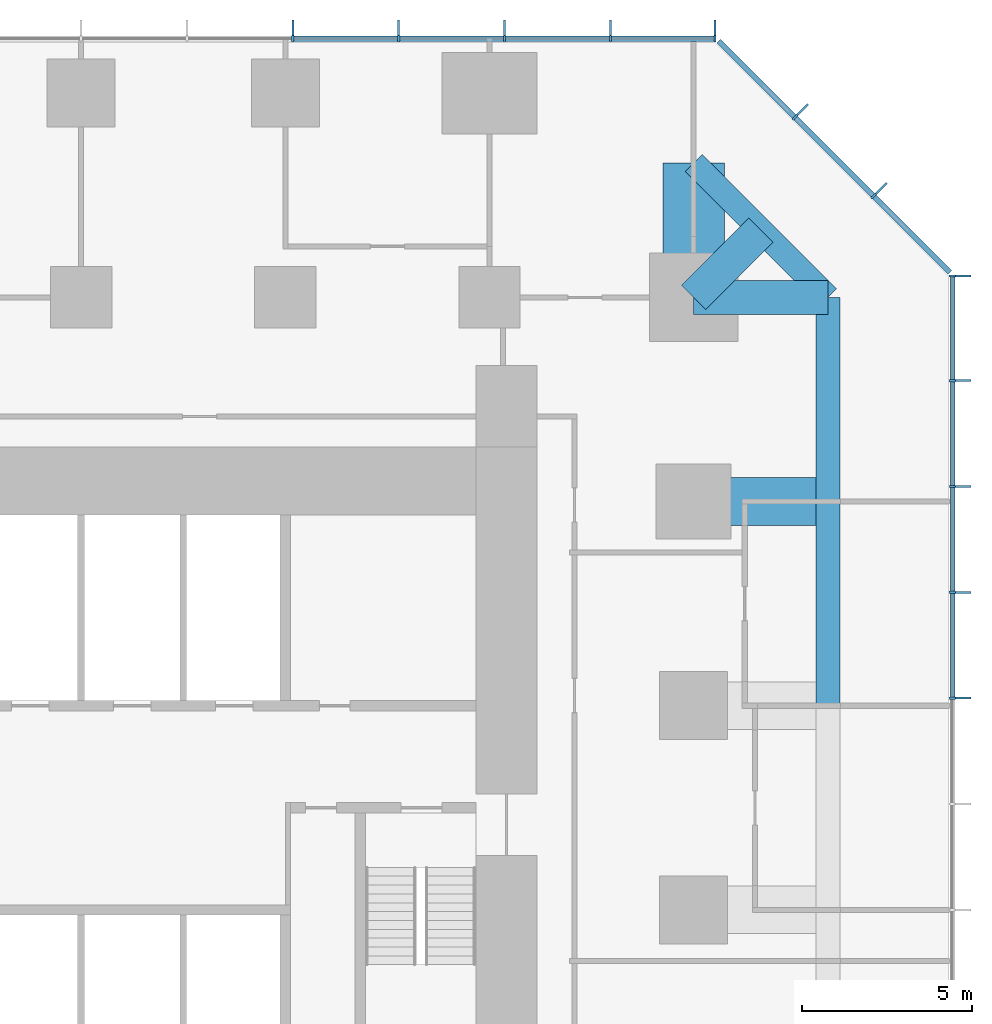
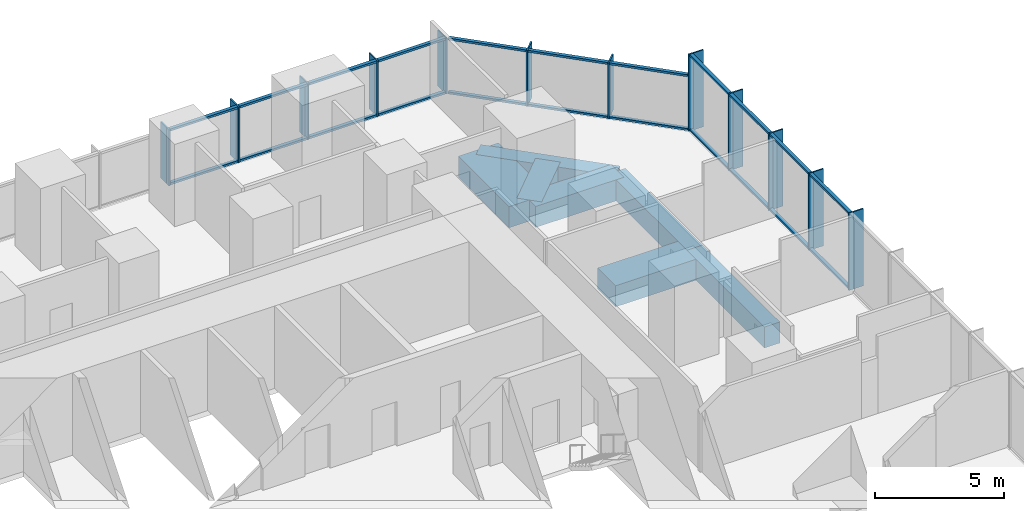
# One storey, part 7 of 13: 46 members, 7 beams, 3 elements without a shape of their own.
"""IFC4 building model written with IfcOpenShell, lengths in metres."""

from ifc_helpers import new_model, si_unit, direction, frame, origin, origin_2d, place, context, subcontext, project, spatial, rectangle, extrude, material, layer, layer_set, material_profile, profile_set, type_object, element, aggregate, save


model = new_model("IFC4")

# Units and contexts
model_context = context("Model", 3, precision=1e-05, world=origin(), true_north=direction((0.0, 1.0)))
body_context = subcontext(model_context, "Body", "Model", "MODEL_VIEW")
ifc_project = project(units=[si_unit("LENGTHUNIT", "METRE"), si_unit("AREAUNIT", "SQUARE_METRE"), si_unit("VOLUMEUNIT", "CUBIC_METRE"), si_unit("PLANEANGLEUNIT", "RADIAN"), si_unit("MASSUNIT", "GRAM", prefix="KILO")], contexts=[model_context])

# Site, building, storey
site_placement = place(None, origin())
site = spatial("IfcSite", under=ifc_project, at=site_placement, CompositionType="ELEMENT")
building_placement = place(site_placement, origin())
building = spatial("IfcBuilding", under=site, at=building_placement, Name="Highveld Stack Headquarters", CompositionType="ELEMENT")
storey_placement = place(building_placement, frame((0.0, 0.0, 61.10009765625)))
storey = spatial("IfcBuildingStorey", under=building, at=storey_placement, Name="L14", CompositionType="ELEMENT", Elevation=61.10009765625)

# Beams
ifc_material_1 = material(Name="Concrete C60/75", Category="concrete")
ifc_material_profile_1 = material_profile(ifc_material_1, rectangle(XDim=1.0, YDim=1.0, at=origin_2d()), Name="RC 1000x1000")
ifc_profile_set_1 = profile_set([ifc_material_profile_1], Name="Concrete C60/75")
beam_type_1 = type_object("IfcBeamType", Name="CANTILEVER RIB RC 1000x1000", PredefinedType="USERDEFINED", material=ifc_profile_set_1)
beam_1_placement = place(storey_placement, frame((24.0, 18.0, -0.75), z_axis=(1.0, 0.0, 0.0), x_axis=(0.0, 1.0, 0.0)))
element("IfcBeam", 1, at=beam_1_placement, inside=storey, type_object=beam_type_1, Name="Cantilever rib 10/H L14", ObjectType="CANTILEVER RIB", PredefinedType="USERDEFINED", context=body_context, shape_type="SweptSolid", body=[
    extrude(rectangle(XDim=1.0, YDim=1.0, at=origin_2d()), origin(), (0.0, 0.0, 1.0), 3.949951171875),
])
beam_2_placement = place(storey_placement, frame((24.0, 18.0, -0.75), z_axis=(0.707106781187, 0.707106781187, 0.0), x_axis=(-0.707106781187, 0.707106781187, 0.0)))
element("IfcBeam", 2, at=beam_2_placement, inside=storey, type_object=beam_type_1, Name="Cantilever rib 10/H L14", ObjectType="CANTILEVER RIB", PredefinedType="USERDEFINED", context=body_context, shape_type="SweptSolid", body=[
    extrude(rectangle(XDim=1.0, YDim=1.0, at=origin_2d()), origin(), (0.0, 0.0, 1.0), 2.793212890625),
])
ifc_material_2 = material(Name="Concrete C60/75", Category="concrete")
ifc_material_profile_2 = material_profile(ifc_material_2, rectangle(XDim=1.39990234375, YDim=1.0, at=origin_2d()), Name="RC 1400x1000")
ifc_profile_set_2 = profile_set([ifc_material_profile_2], Name="Concrete C60/75")
beam_type_2 = type_object("IfcBeamType", Name="CANTILEVER RIB RC 1400x1000", PredefinedType="USERDEFINED", material=ifc_profile_set_2)
beam_3_placement = place(storey_placement, frame((24.0, 12.0, -0.75), z_axis=(1.0, 0.0, 0.0), x_axis=(0.0, 1.0, 0.0)))
element("IfcBeam", 3, at=beam_3_placement, inside=storey, type_object=beam_type_2, Name="Cantilever rib 10/G L14", ObjectType="CANTILEVER RIB", PredefinedType="USERDEFINED", context=body_context, shape_type="SweptSolid", body=[
    extrude(rectangle(XDim=1.39990234375, YDim=1.0, at=origin_2d()), origin(), (0.0, 0.0, 1.0), 3.949951171875),
])
ifc_material_3 = material(Name="Concrete C60/75", Category="concrete")
ifc_material_profile_3 = material_profile(ifc_material_3, rectangle(XDim=1.800048828125, YDim=1.0, at=origin_2d()), Name="RC 1800x1000")
ifc_profile_set_3 = profile_set([ifc_material_profile_3], Name="Concrete C60/75")
beam_type_3 = type_object("IfcBeamType", Name="CANTILEVER RIB RC 1800x1000", PredefinedType="USERDEFINED", material=ifc_profile_set_3)
beam_4_placement = place(storey_placement, frame((24.0, 18.0, -0.75), z_axis=(0.0, 1.0, 0.0), x_axis=(-1.0, 0.0, 0.0)))
element("IfcBeam", 4, at=beam_4_placement, inside=storey, type_object=beam_type_3, Name="Cantilever rib 10/H L14", ObjectType="CANTILEVER RIB", PredefinedType="USERDEFINED", context=body_context, shape_type="SweptSolid", body=[
    extrude(rectangle(XDim=1.800048828125, YDim=1.0, at=origin_2d()), origin(), (0.0, 0.0, 1.0), 3.949951171875),
])

# Curtain wall, members
ifc_material_4 = material(Name="Aluminium bronze anodised", Category="aluminium")
ifc_layer_1 = layer(ifc_material_4, 0.199951171875)
ifc_layer_set_1 = layer_set([ifc_layer_1], Name="Aluminium bronze anodised")
curtain_wall_type_1 = type_object("IfcCurtainWallType", Name="CW1 TOWER UNITISED CURTAIN WALL", PredefinedType="NOTDEFINED", material=ifc_layer_set_1)
curtain_wall_1_placement = place(storey_placement, origin())
curtain_wall_1 = element("IfcCurtainWall", 5, at=curtain_wall_1_placement, inside=storey, type_object=curtain_wall_type_1, Name="Curtain wall CW1 L14 E", PredefinedType="NOTDEFINED")
ifc_material_5 = material(Name="Aluminium bronze anodised", Category="aluminium")
ifc_material_profile_4 = material_profile(ifc_material_5, rectangle(XDim=0.449951171875, YDim=0.06005859375, at=origin_2d()), Name="FIN 450x60")
ifc_profile_set_4 = profile_set([ifc_material_profile_4], Name="Aluminium bronze anodised")
member_type_1 = type_object("IfcMemberType", Name="CW1 BRONZE FIN 450x60", PredefinedType="USERDEFINED", material=ifc_profile_set_4)
member_1_placement = place(storey_placement, frame((31.925048828125, 6.220947265625, 0.0), z_axis=(0.0, 0.0, 1.0), x_axis=(-1.0, 0.0, 0.0)))
member_1 = element("IfcMember", 6, at=member_1_placement, type_object=member_type_1, Name="CW1 fin L14 9", ObjectType="FIN", PredefinedType="USERDEFINED", context=body_context, shape_type="SweptSolid", body=[
    extrude(rectangle(XDim=0.449951171875, YDim=0.06005859375, at=origin_2d()), origin(), (0.0, 0.0, 1.0), 3.64990234375),
])
member_2_placement = place(storey_placement, frame((31.925048828125, 9.331298828125, 0.0), z_axis=(0.0, 0.0, 1.0), x_axis=(-1.0, 0.0, 0.0)))
member_2 = element("IfcMember", 7, at=member_2_placement, type_object=member_type_1, Name="CW1 fin L14 10", ObjectType="FIN", PredefinedType="USERDEFINED", context=body_context, shape_type="SweptSolid", body=[
    extrude(rectangle(XDim=0.449951171875, YDim=0.06005859375, at=origin_2d()), origin(), (0.0, 0.0, 1.0), 3.64990234375),
])
member_3_placement = place(storey_placement, frame((31.925048828125, 12.44189453125, 0.0), z_axis=(0.0, 0.0, 1.0), x_axis=(-1.0, 0.0, 0.0)))
member_3 = element("IfcMember", 8, at=member_3_placement, type_object=member_type_1, Name="CW1 fin L14 11", ObjectType="FIN", PredefinedType="USERDEFINED", context=body_context, shape_type="SweptSolid", body=[
    extrude(rectangle(XDim=0.449951171875, YDim=0.06005859375, at=origin_2d()), origin(), (0.0, 0.0, 1.0), 3.64990234375),
])
member_4_placement = place(storey_placement, frame((31.925048828125, 15.55224609375, 0.0), z_axis=(0.0, 0.0, 1.0), x_axis=(-1.0, 0.0, 0.0)))
member_4 = element("IfcMember", 9, at=member_4_placement, type_object=member_type_1, Name="CW1 fin L14 12", ObjectType="FIN", PredefinedType="USERDEFINED", context=body_context, shape_type="SweptSolid", body=[
    extrude(rectangle(XDim=0.449951171875, YDim=0.06005859375, at=origin_2d()), origin(), (0.0, 0.0, 1.0), 3.64990234375),
])
member_5_placement = place(storey_placement, frame((31.925048828125, 18.630126953125, 0.0), z_axis=(0.0, 0.0, 1.0), x_axis=(-1.0, 0.0, 0.0)))
member_5 = element("IfcMember", 10, at=member_5_placement, type_object=member_type_1, Name="CW1 fin L14 13", ObjectType="FIN", PredefinedType="USERDEFINED", context=body_context, shape_type="SweptSolid", body=[
    extrude(rectangle(XDim=0.449951171875, YDim=0.06005859375, at=origin_2d()), origin(), (0.0, 0.0, 1.0), 3.64990234375),
])

curtain_wall_2_placement = place(storey_placement, origin())
curtain_wall_2 = element("IfcCurtainWall", 11, at=curtain_wall_2_placement, inside=storey, type_object=curtain_wall_type_1, Name="Curtain wall CW1 L14 N", PredefinedType="NOTDEFINED")
member_6_placement = place(storey_placement, frame((24.630126953125, 25.925048828125, 0.0), z_axis=(0.0, 0.0, 1.0), x_axis=(0.0, -1.0, 0.0)))
member_6 = element("IfcMember", 12, at=member_6_placement, type_object=member_type_1, Name="CW1 fin L14 1", ObjectType="FIN", PredefinedType="USERDEFINED", context=body_context, shape_type="SweptSolid", body=[
    extrude(rectangle(XDim=0.449951171875, YDim=0.06005859375, at=origin_2d()), origin(), (0.0, 0.0, 1.0), 2.64990234375),
])
member_7_placement = place(storey_placement, frame((21.55224609375, 25.925048828125, 0.0), z_axis=(0.0, 0.0, 1.0), x_axis=(0.0, -1.0, 0.0)))
member_7 = element("IfcMember", 13, at=member_7_placement, type_object=member_type_1, Name="CW1 fin L14 2", ObjectType="FIN", PredefinedType="USERDEFINED", context=body_context, shape_type="SweptSolid", body=[
    extrude(rectangle(XDim=0.449951171875, YDim=0.06005859375, at=origin_2d()), origin(), (0.0, 0.0, 1.0), 2.64990234375),
])
member_8_placement = place(storey_placement, frame((18.44189453125, 25.925048828125, 0.0), z_axis=(0.0, 0.0, 1.0), x_axis=(0.0, -1.0, 0.0)))
member_8 = element("IfcMember", 14, at=member_8_placement, type_object=member_type_1, Name="CW1 fin L14 3", ObjectType="FIN", PredefinedType="USERDEFINED", context=body_context, shape_type="SweptSolid", body=[
    extrude(rectangle(XDim=0.449951171875, YDim=0.06005859375, at=origin_2d()), origin(), (0.0, 0.0, 1.0), 2.64990234375),
])
member_9_placement = place(storey_placement, frame((15.331298828125, 25.925048828125, 0.0), z_axis=(0.0, 0.0, 1.0), x_axis=(0.0, -1.0, 0.0)))
member_9 = element("IfcMember", 15, at=member_9_placement, type_object=member_type_1, Name="CW1 fin L14 4", ObjectType="FIN", PredefinedType="USERDEFINED", context=body_context, shape_type="SweptSolid", body=[
    extrude(rectangle(XDim=0.449951171875, YDim=0.06005859375, at=origin_2d()), origin(), (0.0, 0.0, 1.0), 2.64990234375),
])
member_10_placement = place(storey_placement, frame((12.220947265625, 25.925048828125, 0.0), z_axis=(0.0, 0.0, 1.0), x_axis=(0.0, -1.0, 0.0)))
member_10 = element("IfcMember", 16, at=member_10_placement, type_object=member_type_1, Name="CW1 fin L14 5", ObjectType="FIN", PredefinedType="USERDEFINED", context=body_context, shape_type="SweptSolid", body=[
    extrude(rectangle(XDim=0.449951171875, YDim=0.06005859375, at=origin_2d()), origin(), (0.0, 0.0, 1.0), 2.64990234375),
])

# Member
ifc_material_6 = material(Name="Aluminium bronze anodised", Category="aluminium")
ifc_material_profile_5 = material_profile(ifc_material_6, rectangle(XDim=0.199951171875, YDim=0.06494140625, at=origin_2d()), Name="CW1 MULLION 65x200")
ifc_profile_set_5 = profile_set([ifc_material_profile_5], Name="Aluminium bronze anodised")
member_type_2 = type_object("IfcMemberType", Name="CW1 MULLION 65x200", PredefinedType="MULLION", material=ifc_profile_set_5)
member_11_placement = place(storey_placement, frame((31.60009765625, 6.220947265625, 0.0), z_axis=(0.0, 0.0, 1.0), x_axis=(-1.0, 0.0, 0.0)))
member_11 = element("IfcMember", 17, at=member_11_placement, type_object=member_type_2, Name="CW1 mullion L14 9", PredefinedType="MULLION", context=body_context, shape_type="SweptSolid", body=[
    extrude(rectangle(XDim=0.199951171875, YDim=0.06494140625, at=origin_2d()), origin(), (0.0, 0.0, 1.0), 3.64990234375),
])

member_12_placement = place(storey_placement, frame((31.60009765625, 9.331298828125, 0.0), z_axis=(0.0, 0.0, 1.0), x_axis=(-1.0, 0.0, 0.0)))
member_12 = element("IfcMember", 18, at=member_12_placement, type_object=member_type_2, Name="CW1 mullion L14 10", PredefinedType="MULLION", context=body_context, shape_type="SweptSolid", body=[
    extrude(rectangle(XDim=0.199951171875, YDim=0.06494140625, at=origin_2d()), origin(), (0.0, 0.0, 1.0), 3.64990234375),
])

member_13_placement = place(storey_placement, frame((31.60009765625, 12.44189453125, 0.0), z_axis=(0.0, 0.0, 1.0), x_axis=(-1.0, 0.0, 0.0)))
member_13 = element("IfcMember", 19, at=member_13_placement, type_object=member_type_2, Name="CW1 mullion L14 11", PredefinedType="MULLION", context=body_context, shape_type="SweptSolid", body=[
    extrude(rectangle(XDim=0.199951171875, YDim=0.06494140625, at=origin_2d()), origin(), (0.0, 0.0, 1.0), 3.64990234375),
])

member_14_placement = place(storey_placement, frame((31.60009765625, 15.55224609375, 0.0), z_axis=(0.0, 0.0, 1.0), x_axis=(-1.0, 0.0, 0.0)))
member_14 = element("IfcMember", 20, at=member_14_placement, type_object=member_type_2, Name="CW1 mullion L14 12", PredefinedType="MULLION", context=body_context, shape_type="SweptSolid", body=[
    extrude(rectangle(XDim=0.199951171875, YDim=0.06494140625, at=origin_2d()), origin(), (0.0, 0.0, 1.0), 3.64990234375),
])

member_15_placement = place(storey_placement, frame((31.60009765625, 18.630126953125, 0.0), z_axis=(0.0, 0.0, 1.0), x_axis=(-1.0, 0.0, 0.0)))
member_15 = element("IfcMember", 21, at=member_15_placement, type_object=member_type_2, Name="CW1 mullion L14 13", PredefinedType="MULLION", context=body_context, shape_type="SweptSolid", body=[
    extrude(rectangle(XDim=0.199951171875, YDim=0.06494140625, at=origin_2d()), origin(), (0.0, 0.0, 1.0), 3.64990234375),
])

member_16_placement = place(storey_placement, frame((24.630126953125, 25.60009765625, 0.0), z_axis=(0.0, 0.0, 1.0), x_axis=(0.0, -1.0, 0.0)))
member_16 = element("IfcMember", 22, at=member_16_placement, type_object=member_type_2, Name="CW1 mullion L14 1", PredefinedType="MULLION", context=body_context, shape_type="SweptSolid", body=[
    extrude(rectangle(XDim=0.199951171875, YDim=0.06494140625, at=origin_2d()), origin(), (0.0, 0.0, 1.0), 2.64990234375),
])

member_17_placement = place(storey_placement, frame((21.55224609375, 25.60009765625, 0.0), z_axis=(0.0, 0.0, 1.0), x_axis=(0.0, -1.0, 0.0)))
member_17 = element("IfcMember", 23, at=member_17_placement, type_object=member_type_2, Name="CW1 mullion L14 2", PredefinedType="MULLION", context=body_context, shape_type="SweptSolid", body=[
    extrude(rectangle(XDim=0.199951171875, YDim=0.06494140625, at=origin_2d()), origin(), (0.0, 0.0, 1.0), 2.64990234375),
])

member_18_placement = place(storey_placement, frame((18.44189453125, 25.60009765625, 0.0), z_axis=(0.0, 0.0, 1.0), x_axis=(0.0, -1.0, 0.0)))
member_18 = element("IfcMember", 24, at=member_18_placement, type_object=member_type_2, Name="CW1 mullion L14 3", PredefinedType="MULLION", context=body_context, shape_type="SweptSolid", body=[
    extrude(rectangle(XDim=0.199951171875, YDim=0.06494140625, at=origin_2d()), origin(), (0.0, 0.0, 1.0), 2.64990234375),
])

member_19_placement = place(storey_placement, frame((15.331298828125, 25.60009765625, 0.0), z_axis=(0.0, 0.0, 1.0), x_axis=(0.0, -1.0, 0.0)))
member_19 = element("IfcMember", 25, at=member_19_placement, type_object=member_type_2, Name="CW1 mullion L14 4", PredefinedType="MULLION", context=body_context, shape_type="SweptSolid", body=[
    extrude(rectangle(XDim=0.199951171875, YDim=0.06494140625, at=origin_2d()), origin(), (0.0, 0.0, 1.0), 2.64990234375),
])

member_20_placement = place(storey_placement, frame((12.220947265625, 25.60009765625, 0.0), z_axis=(0.0, 0.0, 1.0), x_axis=(0.0, -1.0, 0.0)))
member_20 = element("IfcMember", 26, at=member_20_placement, type_object=member_type_2, Name="CW1 mullion L14 5", PredefinedType="MULLION", context=body_context, shape_type="SweptSolid", body=[
    extrude(rectangle(XDim=0.199951171875, YDim=0.06494140625, at=origin_2d()), origin(), (0.0, 0.0, 1.0), 2.64990234375),
])

ifc_material_7 = material(Name="Aluminium bronze anodised", Category="aluminium")
ifc_material_profile_6 = material_profile(ifc_material_7, rectangle(XDim=0.14990234375, YDim=0.10009765625, at=origin_2d()), Name="CW1 TRANSOM 150x100")
ifc_profile_set_6 = profile_set([ifc_material_profile_6], Name="Aluminium bronze anodised")
member_type_3 = type_object("IfcMemberType", Name="CW1 STACK TRANSOM 150x100", PredefinedType="USERDEFINED", material=ifc_profile_set_6)
member_21_placement = place(storey_placement, frame((31.60009765625, 6.25341796875, 0.0498046875), z_axis=(0.0, 1.0, 0.0), x_axis=(-1.0, 0.0, 0.0)))
member_21 = element("IfcMember", 27, at=member_21_placement, type_object=member_type_3, Name="CW1 transom L14 9.1", ObjectType="TRANSOM", PredefinedType="USERDEFINED", context=body_context, shape_type="SweptSolid", body=[
    extrude(rectangle(XDim=0.14990234375, YDim=0.10009765625, at=origin_2d()), origin(), (0.0, 0.0, 1.0), 3.04541015625),
])

member_22_placement = place(storey_placement, frame((31.60009765625, 6.25341796875, 3.599853515625), z_axis=(0.0, 1.0, 0.0), x_axis=(-1.0, 0.0, 0.0)))
member_22 = element("IfcMember", 28, at=member_22_placement, type_object=member_type_3, Name="CW1 transom L14 9.2", ObjectType="TRANSOM", PredefinedType="USERDEFINED", context=body_context, shape_type="SweptSolid", body=[
    extrude(rectangle(XDim=0.14990234375, YDim=0.10009765625, at=origin_2d()), origin(), (0.0, 0.0, 1.0), 3.04541015625),
])

member_23_placement = place(storey_placement, frame((31.60009765625, 9.36376953125, 0.0498046875), z_axis=(0.0, 1.0, 0.0), x_axis=(-1.0, 0.0, 0.0)))
member_23 = element("IfcMember", 29, at=member_23_placement, type_object=member_type_3, Name="CW1 transom L14 10.1", ObjectType="TRANSOM", PredefinedType="USERDEFINED", context=body_context, shape_type="SweptSolid", body=[
    extrude(rectangle(XDim=0.14990234375, YDim=0.10009765625, at=origin_2d()), origin(), (0.0, 0.0, 1.0), 3.04541015625),
])

member_24_placement = place(storey_placement, frame((31.60009765625, 9.36376953125, 3.599853515625), z_axis=(0.0, 1.0, 0.0), x_axis=(-1.0, 0.0, 0.0)))
member_24 = element("IfcMember", 30, at=member_24_placement, type_object=member_type_3, Name="CW1 transom L14 10.2", ObjectType="TRANSOM", PredefinedType="USERDEFINED", context=body_context, shape_type="SweptSolid", body=[
    extrude(rectangle(XDim=0.14990234375, YDim=0.10009765625, at=origin_2d()), origin(), (0.0, 0.0, 1.0), 3.04541015625),
])

member_25_placement = place(storey_placement, frame((31.60009765625, 12.474365234375, 0.0498046875), z_axis=(0.0, 1.0, 0.0), x_axis=(-1.0, 0.0, 0.0)))
member_25 = element("IfcMember", 31, at=member_25_placement, type_object=member_type_3, Name="CW1 transom L14 11.1", ObjectType="TRANSOM", PredefinedType="USERDEFINED", context=body_context, shape_type="SweptSolid", body=[
    extrude(rectangle(XDim=0.14990234375, YDim=0.10009765625, at=origin_2d()), origin(), (0.0, 0.0, 1.0), 3.04541015625),
])

member_26_placement = place(storey_placement, frame((31.60009765625, 12.474365234375, 3.599853515625), z_axis=(0.0, 1.0, 0.0), x_axis=(-1.0, 0.0, 0.0)))
member_26 = element("IfcMember", 32, at=member_26_placement, type_object=member_type_3, Name="CW1 transom L14 11.2", ObjectType="TRANSOM", PredefinedType="USERDEFINED", context=body_context, shape_type="SweptSolid", body=[
    extrude(rectangle(XDim=0.14990234375, YDim=0.10009765625, at=origin_2d()), origin(), (0.0, 0.0, 1.0), 3.04541015625),
])

member_27_placement = place(storey_placement, frame((31.60009765625, 15.584716796875, 0.0498046875), z_axis=(0.0, 1.0, 0.0), x_axis=(-1.0, 0.0, 0.0)))
member_27 = element("IfcMember", 33, at=member_27_placement, type_object=member_type_3, Name="CW1 transom L14 12.1", ObjectType="TRANSOM", PredefinedType="USERDEFINED", context=body_context, shape_type="SweptSolid", body=[
    extrude(rectangle(XDim=0.14990234375, YDim=0.10009765625, at=origin_2d()), origin(), (0.0, 0.0, 1.0), 3.012939453125),
])

member_28_placement = place(storey_placement, frame((31.60009765625, 15.584716796875, 3.599853515625), z_axis=(0.0, 1.0, 0.0), x_axis=(-1.0, 0.0, 0.0)))
member_28 = element("IfcMember", 34, at=member_28_placement, type_object=member_type_3, Name="CW1 transom L14 12.2", ObjectType="TRANSOM", PredefinedType="USERDEFINED", context=body_context, shape_type="SweptSolid", body=[
    extrude(rectangle(XDim=0.14990234375, YDim=0.10009765625, at=origin_2d()), origin(), (0.0, 0.0, 1.0), 3.012939453125),
])

aggregate(curtain_wall_1, [member_11, member_1, member_12, member_2, member_13, member_3, member_14, member_4, member_15, member_5, member_21, member_22, member_23, member_24, member_25, member_26, member_27, member_28])

member_29_placement = place(storey_placement, frame((24.59765625, 25.60009765625, 0.0498046875), z_axis=(-1.0, 0.0, 0.0), x_axis=(0.0, -1.0, 0.0)))
member_29 = element("IfcMember", 35, at=member_29_placement, type_object=member_type_3, Name="CW1 transom L14 1.1", ObjectType="TRANSOM", PredefinedType="USERDEFINED", context=body_context, shape_type="SweptSolid", body=[
    extrude(rectangle(XDim=0.14990234375, YDim=0.10009765625, at=origin_2d()), origin(), (0.0, 0.0, 1.0), 3.012939453125),
])

member_30_placement = place(storey_placement, frame((24.59765625, 25.60009765625, 2.599853515625), z_axis=(-1.0, 0.0, 0.0), x_axis=(0.0, -1.0, 0.0)))
member_30 = element("IfcMember", 36, at=member_30_placement, type_object=member_type_3, Name="CW1 transom L14 1.2", ObjectType="TRANSOM", PredefinedType="USERDEFINED", context=body_context, shape_type="SweptSolid", body=[
    extrude(rectangle(XDim=0.14990234375, YDim=0.10009765625, at=origin_2d()), origin(), (0.0, 0.0, 1.0), 3.012939453125),
])

member_31_placement = place(storey_placement, frame((21.519775390625, 25.60009765625, 0.0498046875), z_axis=(-1.0, 0.0, 0.0), x_axis=(0.0, -1.0, 0.0)))
member_31 = element("IfcMember", 37, at=member_31_placement, type_object=member_type_3, Name="CW1 transom L14 2.1", ObjectType="TRANSOM", PredefinedType="USERDEFINED", context=body_context, shape_type="SweptSolid", body=[
    extrude(rectangle(XDim=0.14990234375, YDim=0.10009765625, at=origin_2d()), origin(), (0.0, 0.0, 1.0), 3.04541015625),
])

member_32_placement = place(storey_placement, frame((21.519775390625, 25.60009765625, 2.599853515625), z_axis=(-1.0, 0.0, 0.0), x_axis=(0.0, -1.0, 0.0)))
member_32 = element("IfcMember", 38, at=member_32_placement, type_object=member_type_3, Name="CW1 transom L14 2.2", ObjectType="TRANSOM", PredefinedType="USERDEFINED", context=body_context, shape_type="SweptSolid", body=[
    extrude(rectangle(XDim=0.14990234375, YDim=0.10009765625, at=origin_2d()), origin(), (0.0, 0.0, 1.0), 3.04541015625),
])

member_33_placement = place(storey_placement, frame((18.4091796875, 25.60009765625, 0.0498046875), z_axis=(-1.0, 0.0, 0.0), x_axis=(0.0, -1.0, 0.0)))
member_33 = element("IfcMember", 39, at=member_33_placement, type_object=member_type_3, Name="CW1 transom L14 3.1", ObjectType="TRANSOM", PredefinedType="USERDEFINED", context=body_context, shape_type="SweptSolid", body=[
    extrude(rectangle(XDim=0.14990234375, YDim=0.10009765625, at=origin_2d()), origin(), (0.0, 0.0, 1.0), 3.045166015625),
])

member_34_placement = place(storey_placement, frame((18.4091796875, 25.60009765625, 2.599853515625), z_axis=(-1.0, 0.0, 0.0), x_axis=(0.0, -1.0, 0.0)))
member_34 = element("IfcMember", 40, at=member_34_placement, type_object=member_type_3, Name="CW1 transom L14 3.2", ObjectType="TRANSOM", PredefinedType="USERDEFINED", context=body_context, shape_type="SweptSolid", body=[
    extrude(rectangle(XDim=0.14990234375, YDim=0.10009765625, at=origin_2d()), origin(), (0.0, 0.0, 1.0), 3.045166015625),
])

member_35_placement = place(storey_placement, frame((15.298828125, 25.60009765625, 0.0498046875), z_axis=(-1.0, 0.0, 0.0), x_axis=(0.0, -1.0, 0.0)))
member_35 = element("IfcMember", 41, at=member_35_placement, type_object=member_type_3, Name="CW1 transom L14 4.1", ObjectType="TRANSOM", PredefinedType="USERDEFINED", context=body_context, shape_type="SweptSolid", body=[
    extrude(rectangle(XDim=0.14990234375, YDim=0.10009765625, at=origin_2d()), origin(), (0.0, 0.0, 1.0), 3.04541015625),
])

member_36_placement = place(storey_placement, frame((15.298828125, 25.60009765625, 2.599853515625), z_axis=(-1.0, 0.0, 0.0), x_axis=(0.0, -1.0, 0.0)))
member_36 = element("IfcMember", 42, at=member_36_placement, type_object=member_type_3, Name="CW1 transom L14 4.2", ObjectType="TRANSOM", PredefinedType="USERDEFINED", context=body_context, shape_type="SweptSolid", body=[
    extrude(rectangle(XDim=0.14990234375, YDim=0.10009765625, at=origin_2d()), origin(), (0.0, 0.0, 1.0), 3.04541015625),
])

aggregate(curtain_wall_2, [member_16, member_6, member_17, member_7, member_18, member_8, member_19, member_9, member_20, member_10, member_29, member_30, member_31, member_32, member_33, member_34, member_35, member_36])

# Curtain wall, members
ifc_material_8 = material(Name="Aluminium bronze anodised", Category="aluminium")
ifc_layer_2 = layer(ifc_material_8, 0.199951171875)
ifc_layer_set_2 = layer_set([ifc_layer_2], Name="Aluminium bronze anodised")
curtain_wall_type_2 = type_object("IfcCurtainWallType", Name="CW2 TOWER CHAMFER UNITISED CURTAIN WALL", PredefinedType="NOTDEFINED", material=ifc_layer_set_2)
curtain_wall_3_placement = place(storey_placement, origin())
curtain_wall_3 = element("IfcCurtainWall", 43, at=curtain_wall_3_placement, inside=storey, type_object=curtain_wall_type_2, Name="Curtain wall CW2 L14 NE", PredefinedType="NOTDEFINED")
ifc_material_9 = material(Name="Aluminium bronze anodised", Category="aluminium")
ifc_material_profile_7 = material_profile(ifc_material_9, rectangle(XDim=0.449951171875, YDim=0.06005859375, at=origin_2d()), Name="FIN 450x60")
ifc_profile_set_7 = profile_set([ifc_material_profile_7], Name="Aluminium bronze anodised")
member_type_4 = type_object("IfcMemberType", Name="CW2 BRONZE FIN 450x60", PredefinedType="USERDEFINED", material=ifc_profile_set_7)
member_37_placement = place(storey_placement, frame((29.517333984375, 21.204833984375, 0.0), z_axis=(0.0, 0.0, 1.0), x_axis=(-0.707106781187, -0.707106781187, 0.0)))
member_37 = element("IfcMember", 44, at=member_37_placement, type_object=member_type_4, Name="CW2 fin L14 1", ObjectType="FIN", PredefinedType="USERDEFINED", context=body_context, shape_type="SweptSolid", body=[
    extrude(rectangle(XDim=0.449951171875, YDim=0.06005859375, at=origin_2d()), origin(), (0.0, 0.0, 1.0), 2.64990234375),
])
member_38_placement = place(storey_placement, frame((27.204833984375, 23.517333984375, 0.0), z_axis=(0.0, 0.0, 1.0), x_axis=(-0.707106781187, -0.707106781187, 0.0)))
member_38 = element("IfcMember", 45, at=member_38_placement, type_object=member_type_4, Name="CW2 fin L14 2", ObjectType="FIN", PredefinedType="USERDEFINED", context=body_context, shape_type="SweptSolid", body=[
    extrude(rectangle(XDim=0.449951171875, YDim=0.06005859375, at=origin_2d()), origin(), (0.0, 0.0, 1.0), 2.64990234375),
])
ifc_material_10 = material(Name="Aluminium bronze anodised", Category="aluminium")
ifc_material_profile_8 = material_profile(ifc_material_10, rectangle(XDim=0.199951171875, YDim=0.06494140625, at=origin_2d()), Name="CW2 MULLION 65x200")
ifc_profile_set_8 = profile_set([ifc_material_profile_8], Name="Aluminium bronze anodised")
member_type_5 = type_object("IfcMemberType", Name="CW2 MULLION 65x200", PredefinedType="MULLION", material=ifc_profile_set_8)
member_39_placement = place(storey_placement, frame((29.28759765625, 20.97509765625, 0.0), z_axis=(0.0, 0.0, 1.0), x_axis=(-0.707106781187, -0.707106781187, 0.0)))
member_39 = element("IfcMember", 46, at=member_39_placement, type_object=member_type_5, Name="CW2 mullion L14 1", PredefinedType="MULLION", context=body_context, shape_type="SweptSolid", body=[
    extrude(rectangle(XDim=0.199951171875, YDim=0.06494140625, at=origin_2d()), origin(), (0.0, 0.0, 1.0), 2.64990234375),
])
member_40_placement = place(storey_placement, frame((26.97509765625, 23.28759765625, 0.0), z_axis=(0.0, 0.0, 1.0), x_axis=(-0.707106781187, -0.707106781187, 0.0)))
member_40 = element("IfcMember", 47, at=member_40_placement, type_object=member_type_5, Name="CW2 mullion L14 2", PredefinedType="MULLION", context=body_context, shape_type="SweptSolid", body=[
    extrude(rectangle(XDim=0.199951171875, YDim=0.06494140625, at=origin_2d()), origin(), (0.0, 0.0, 1.0), 2.64990234375),
])
ifc_material_11 = material(Name="Aluminium bronze anodised", Category="aluminium")
ifc_material_profile_9 = material_profile(ifc_material_11, rectangle(XDim=0.14990234375, YDim=0.10009765625, at=origin_2d()), Name="CW2 TRANSOM 150x100")
ifc_profile_set_9 = profile_set([ifc_material_profile_9], Name="Aluminium bronze anodised")
member_type_6 = type_object("IfcMemberType", Name="CW2 STACK TRANSOM 150x100", PredefinedType="USERDEFINED", material=ifc_profile_set_9)
member_41_placement = place(storey_placement, frame((31.529296875, 18.7333984375, 0.0498046875), z_axis=(-0.707106781187, 0.707106781187, 0.0), x_axis=(-0.707106781187, -0.707106781187, 0.0)))
member_41 = element("IfcMember", 48, at=member_41_placement, type_object=member_type_6, Name="CW2 transom L14 1.1", ObjectType="TRANSOM", PredefinedType="USERDEFINED", context=body_context, shape_type="SweptSolid", body=[
    extrude(rectangle(XDim=0.14990234375, YDim=0.10009765625, at=origin_2d()), origin(), (0.0, 0.0, 1.0), 3.1376953125),
])
member_42_placement = place(storey_placement, frame((31.529296875, 18.7333984375, 2.599853515625), z_axis=(-0.707106781187, 0.707106781187, 0.0), x_axis=(-0.707106781187, -0.707106781187, 0.0)))
member_42 = element("IfcMember", 49, at=member_42_placement, type_object=member_type_6, Name="CW2 transom L14 1.2", ObjectType="TRANSOM", PredefinedType="USERDEFINED", context=body_context, shape_type="SweptSolid", body=[
    extrude(rectangle(XDim=0.14990234375, YDim=0.10009765625, at=origin_2d()), origin(), (0.0, 0.0, 1.0), 3.1376953125),
])
member_43_placement = place(storey_placement, frame((29.2646484375, 20.998046875, 0.0498046875), z_axis=(-0.707106781187, 0.707106781187, 0.0), x_axis=(-0.707106781187, -0.707106781187, 0.0)))
member_43 = element("IfcMember", 50, at=member_43_placement, type_object=member_type_6, Name="CW2 transom L14 2.1", ObjectType="TRANSOM", PredefinedType="USERDEFINED", context=body_context, shape_type="SweptSolid", body=[
    extrude(rectangle(XDim=0.14990234375, YDim=0.10009765625, at=origin_2d()), origin(), (0.0, 0.0, 1.0), 3.20556640625),
])
member_44_placement = place(storey_placement, frame((29.2646484375, 20.998046875, 2.599853515625), z_axis=(-0.707106781187, 0.707106781187, 0.0), x_axis=(-0.707106781187, -0.707106781187, 0.0)))
member_44 = element("IfcMember", 51, at=member_44_placement, type_object=member_type_6, Name="CW2 transom L14 2.2", ObjectType="TRANSOM", PredefinedType="USERDEFINED", context=body_context, shape_type="SweptSolid", body=[
    extrude(rectangle(XDim=0.14990234375, YDim=0.10009765625, at=origin_2d()), origin(), (0.0, 0.0, 1.0), 3.20556640625),
])
member_45_placement = place(storey_placement, frame((26.9521484375, 23.310546875, 0.0498046875), z_axis=(-0.707106781187, 0.707106781187, 0.0), x_axis=(-0.707106781187, -0.707106781187, 0.0)))
member_45 = element("IfcMember", 52, at=member_45_placement, type_object=member_type_6, Name="CW2 transom L14 3.1", ObjectType="TRANSOM", PredefinedType="USERDEFINED", context=body_context, shape_type="SweptSolid", body=[
    extrude(rectangle(XDim=0.14990234375, YDim=0.10009765625, at=origin_2d()), origin(), (0.0, 0.0, 1.0), 3.1376953125),
])
member_46_placement = place(storey_placement, frame((26.9521484375, 23.310546875, 2.599853515625), z_axis=(-0.707106781187, 0.707106781187, 0.0), x_axis=(-0.707106781187, -0.707106781187, 0.0)))
member_46 = element("IfcMember", 53, at=member_46_placement, type_object=member_type_6, Name="CW2 transom L14 3.2", ObjectType="TRANSOM", PredefinedType="USERDEFINED", context=body_context, shape_type="SweptSolid", body=[
    extrude(rectangle(XDim=0.14990234375, YDim=0.10009765625, at=origin_2d()), origin(), (0.0, 0.0, 1.0), 3.1376953125),
])
aggregate(curtain_wall_3, [member_39, member_37, member_40, member_38, member_41, member_42, member_43, member_44, member_45, member_46])

# Beams
ifc_material_12 = material(Name="Concrete C60/75", Category="concrete")
ifc_material_profile_10 = material_profile(ifc_material_12, rectangle(XDim=0.699951171875, YDim=1.0, at=origin_2d()), Name="RC 700x1000")
ifc_profile_set_10 = profile_set([ifc_material_profile_10], Name="Concrete C60/75")
beam_type_4 = type_object("IfcBeamType", Name="RIB TIP BEAM RC 700x1000", PredefinedType="SPANDREL", material=ifc_profile_set_10)
for number, where, z_axis, x_axis, name in (
    (54, (27.949951171875, 6.0, -0.75), (0.0, 1.0, 0.0), (-1.0, 0.0, 0.0), "Rib tip beam 10/F to 10/G L14"),
    (55, (27.949951171875, 12.0, -0.75), (0.0, 1.0, 0.0), (-1.0, 0.0, 0.0), "Rib tip beam 10/G to 10/H L14"),
):
    element("IfcBeam", number, at=place(storey_placement, frame(where, z_axis=z_axis, x_axis=x_axis)), inside=storey, type_object=beam_type_4, Name=name, PredefinedType="SPANDREL", context=body_context, shape_type="SweptSolid", body=[
        extrude(rectangle(XDim=0.699951171875, YDim=1.0, at=origin_2d()), origin(), (0.0, 0.0, 1.0), 6.0),
    ])
beam_5_placement = place(storey_placement, frame((27.949951171875, 18.0, -0.75), z_axis=(-0.707106781187, 0.707106781187, 0.0), x_axis=(-0.707106781187, -0.707106781187, 0.0)))
element("IfcBeam", 56, at=beam_5_placement, inside=storey, type_object=beam_type_4, Name="Rib tip beam 10/H corner L14", PredefinedType="SPANDREL", context=body_context, shape_type="SweptSolid", body=[
    extrude(rectangle(XDim=0.699951171875, YDim=1.0, at=origin_2d()), origin(), (0.0, 0.0, 1.0), 5.586181640625),
])

save(model, "model.ifc")
